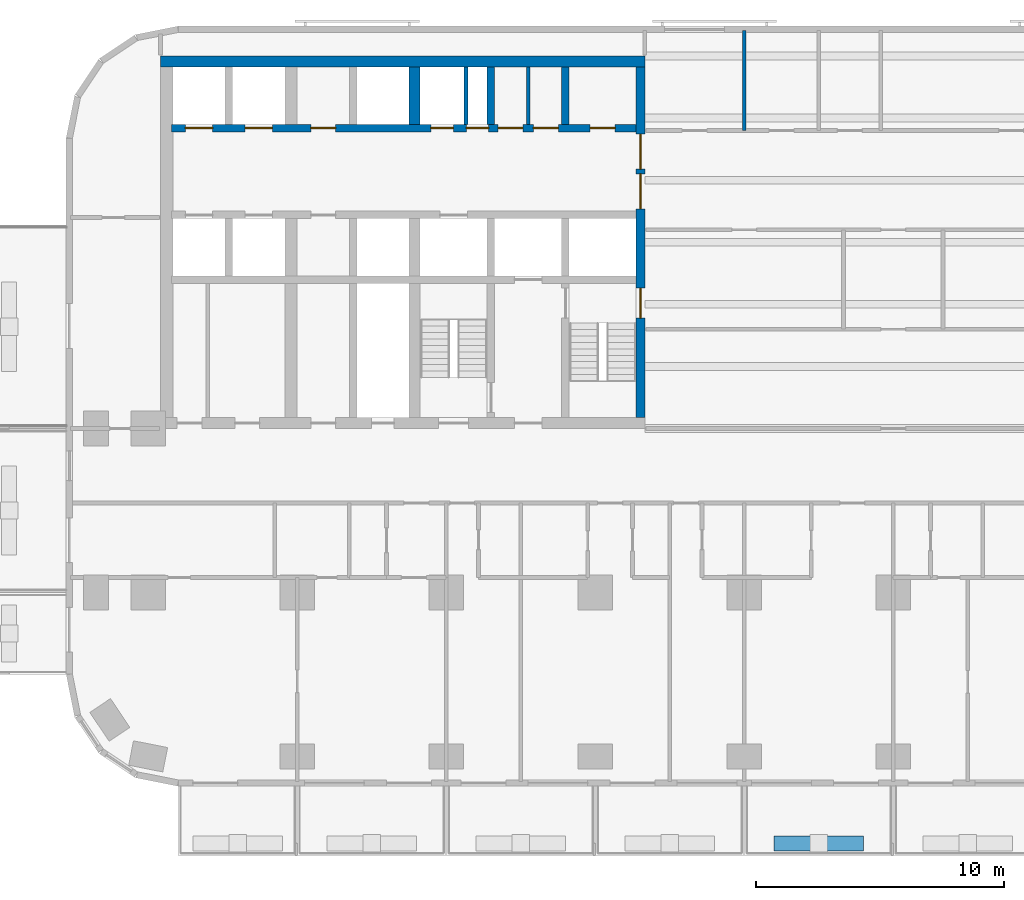
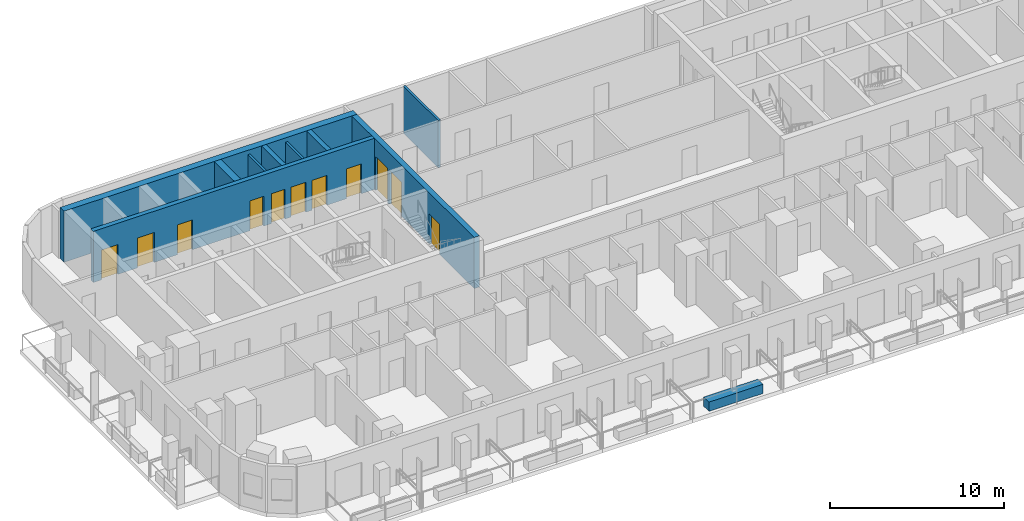
# One storey, part 4 of 14: 11 doors, 10 walls, 11 openings.
"""IFC4 building model written with IfcOpenShell, lengths in metres."""

from ifc_helpers import new_model, si_unit, direction, frame, frame_2d, origin, place, context, subcontext, project, spatial, rectangle, extrude, material, layer, layer_set, type_object, element, fill, save


model = new_model("IFC4")

# Units and contexts
model_context = context("Model", 3, precision=1e-05, world=origin(), true_north=direction((0.0, 1.0)))
body_context = subcontext(model_context, "Body", "Model", "MODEL_VIEW")
ifc_project = project(units=[si_unit("LENGTHUNIT", "METRE"), si_unit("AREAUNIT", "SQUARE_METRE"), si_unit("VOLUMEUNIT", "CUBIC_METRE"), si_unit("PLANEANGLEUNIT", "RADIAN"), si_unit("MASSUNIT", "GRAM", prefix="KILO")], contexts=[model_context])

# Site, building, storey
site_placement = place(None, origin())
site = spatial("IfcSite", under=ifc_project, at=site_placement, CompositionType="ELEMENT")
building_placement = place(site_placement, origin())
building = spatial("IfcBuilding", under=site, at=building_placement, Name="Torana Hotel and Residences", CompositionType="ELEMENT")
storey_placement = place(building_placement, frame((0.0, 0.0, 74.39990234375)))
storey = spatial("IfcBuildingStorey", under=building, at=storey_placement, Name="L18", CompositionType="ELEMENT", Elevation=74.39990234375)

# Wall, openings, doors
ifc_material_1 = material(Name="Concrete C80/95", Category="concrete")
ifc_layer_1 = layer(ifc_material_1, 0.300048828125)
ifc_layer_set_1 = layer_set([ifc_layer_1], Name="CORE WALL 300 C80/95")
wall_type_1 = type_object("IfcWallType", Name="CORE WALL 300 C80/95", PredefinedType="SHEAR", material=ifc_layer_set_1)
wall_1_placement = place(storey_placement, frame((-29.050048828125, -2.89990234375, 0.0), z_axis=(0.0, 0.0, 1.0), x_axis=(1.0, 0.0, 0.0)))
wall_1 = element("IfcWall", 1, at=wall_1_placement, inside=storey, type_object=wall_type_1, Name="Core wall W row-N", PredefinedType="SHEAR", context=body_context, shape_type="SweptSolid", body=[
    extrude(rectangle(XDim=18.699951171875, YDim=0.300048828125, at=frame_2d((9.35009765625, 0.0))), origin(), (0.0, 0.0, 1.0), 3.60009765625),
])
opening_1_placement = place(wall_1_placement, frame((2.949951171875, 0.0, 0.0)))
opening_1 = element("IfcOpeningElement", 2, at=opening_1_placement, cuts=wall_1, Name="Opening LD", PredefinedType="OPENING", context=body_context, shape_type="SweptSolid", body=[
    extrude(rectangle(XDim=1.10009765625, YDim=2.10009765625, at=frame_2d((0.550048828125, 1.050048828125))), frame((0.0, 0.159912109375, 0.0), z_axis=(0.0, -1.0, 0.0), x_axis=(1.0, 0.0, 0.0)), (0.0, 0.0, 1.0), 0.320068359375),
])
opening_2_placement = place(wall_1_placement, frame((0.550048828125, 0.0, 0.0)))
opening_2 = element("IfcOpeningElement", 3, at=opening_2_placement, cuts=wall_1, Name="Opening LD", PredefinedType="OPENING", context=body_context, shape_type="SweptSolid", body=[
    extrude(rectangle(XDim=1.10009765625, YDim=2.10009765625, at=frame_2d((0.550048828125, 1.050048828125))), frame((0.0, 0.159912109375, 0.0), z_axis=(0.0, -1.0, 0.0), x_axis=(1.0, 0.0, 0.0)), (0.0, 0.0, 1.0), 0.320068359375),
])
opening_3_placement = place(wall_1_placement, frame((11.862548828125, 0.0, 0.0)))
opening_3 = element("IfcOpeningElement", 4, at=opening_3_placement, cuts=wall_1, Name="Opening L18-10", PredefinedType="OPENING", context=body_context, shape_type="SweptSolid", body=[
    extrude(rectangle(XDim=0.89990234375, YDim=2.10009765625, at=frame_2d((0.449951171875, 1.050048828125))), frame((0.0, 0.159912109375, 0.0), z_axis=(0.0, -1.0, 0.0), x_axis=(1.0, 0.0, 0.0)), (0.0, 0.0, 1.0), 0.320068359375),
])
opening_4_placement = place(wall_1_placement, frame((10.4375, 0.0, 0.0)))
opening_4 = element("IfcOpeningElement", 5, at=opening_4_placement, cuts=wall_1, Name="Opening L18-11", PredefinedType="OPENING", context=body_context, shape_type="SweptSolid", body=[
    extrude(rectangle(XDim=0.89990234375, YDim=2.10009765625, at=frame_2d((0.449951171875, 1.050048828125))), frame((0.0, 0.159912109375, 0.0), z_axis=(0.0, -1.0, 0.0), x_axis=(1.0, 0.0, 0.0)), (0.0, 0.0, 1.0), 0.320068359375),
])
opening_5_placement = place(wall_1_placement, frame((16.85009765625, 0.0, 0.0)))
opening_5 = element("IfcOpeningElement", 6, at=opening_5_placement, cuts=wall_1, Name="Opening L18-12", PredefinedType="OPENING", context=body_context, shape_type="SweptSolid", body=[
    extrude(rectangle(XDim=1.0, YDim=2.10009765625, at=frame_2d((0.5, 1.050048828125))), frame((0.0, 0.159912109375, 0.0), z_axis=(0.0, -1.0, 0.0), x_axis=(1.0, 0.0, 0.0)), (0.0, 0.0, 1.0), 0.320068359375),
])
opening_6_placement = place(wall_1_placement, frame((14.5625, 0.0, 0.0)))
opening_6 = element("IfcOpeningElement", 7, at=opening_6_placement, cuts=wall_1, Name="Opening L18-13", PredefinedType="OPENING", context=body_context, shape_type="SweptSolid", body=[
    extrude(rectangle(XDim=1.0, YDim=2.10009765625, at=frame_2d((0.5, 1.050048828125))), frame((0.0, 0.159912109375, 0.0), z_axis=(0.0, -1.0, 0.0), x_axis=(1.0, 0.0, 0.0)), (0.0, 0.0, 1.0), 0.320068359375),
])
opening_7_placement = place(wall_1_placement, frame((13.137451171875, 0.0, 0.0)))
opening_7 = element("IfcOpeningElement", 8, at=opening_7_placement, cuts=wall_1, Name="Opening L18-14", PredefinedType="OPENING", context=body_context, shape_type="SweptSolid", body=[
    extrude(rectangle(XDim=1.0, YDim=2.10009765625, at=frame_2d((0.5, 1.050048828125))), frame((0.0, 0.159912109375, 0.0), z_axis=(0.0, -1.0, 0.0), x_axis=(1.0, 0.0, 0.0)), (0.0, 0.0, 1.0), 0.320068359375),
])
opening_8_placement = place(wall_1_placement, frame((5.60009765625, 0.0, 0.0)))
opening_8 = element("IfcOpeningElement", 9, at=opening_8_placement, cuts=wall_1, Name="Opening L18-15", PredefinedType="OPENING", context=body_context, shape_type="SweptSolid", body=[
    extrude(rectangle(XDim=1.0, YDim=2.10009765625, at=frame_2d((0.5, 1.050048828125))), frame((0.0, 0.159912109375, 0.0), z_axis=(0.0, -1.0, 0.0), x_axis=(1.0, 0.0, 0.0)), (0.0, 0.0, 1.0), 0.320068359375),
])
ifc_material_2 = material(Name="Steel S235", Category="steel")
door_type_1 = type_object("IfcDoorType", Name="CORE ROOM FIRE DOOR D14 1000x2100", OperationType="SINGLE_SWING_LEFT", PredefinedType="DOOR", material=ifc_material_2)
door_1_placement = place(opening_5_placement, origin())
door_1 = element("IfcDoor", 10, at=door_1_placement, inside=storey, type_object=door_type_1, Name="N0 door L18", OperationType="SINGLE_SWING_RIGHT", OverallHeight=2.10009765625, OverallWidth=1.0, PredefinedType="DOOR", context=body_context, shape_type="SweptSolid", body=[
    extrude(rectangle(XDim=1.0, YDim=2.10009765625, at=frame_2d((0.5, 1.050048828125))), frame((0.0, 0.02490234375, 0.0), z_axis=(0.0, -1.0, 0.0), x_axis=(1.0, 0.0, 0.0)), (0.0, 0.0, 1.0), 0.050048828125),
])
fill(opening_5, door_1)
door_2_placement = place(opening_6_placement, origin())
door_2 = element("IfcDoor", 11, at=door_2_placement, inside=storey, type_object=door_type_1, Name="N1A door L18", OperationType="SINGLE_SWING_RIGHT", OverallHeight=2.10009765625, OverallWidth=1.0, PredefinedType="DOOR", context=body_context, shape_type="SweptSolid", body=[
    extrude(rectangle(XDim=1.0, YDim=2.10009765625, at=frame_2d((0.5, 1.050048828125))), frame((0.0, 0.02490234375, 0.0), z_axis=(0.0, -1.0, 0.0), x_axis=(1.0, 0.0, 0.0)), (0.0, 0.0, 1.0), 0.050048828125),
])
fill(opening_6, door_2)
door_3_placement = place(opening_7_placement, origin())
door_3 = element("IfcDoor", 12, at=door_3_placement, inside=storey, type_object=door_type_1, Name="N1B door L18", OperationType="SINGLE_SWING_RIGHT", OverallHeight=2.10009765625, OverallWidth=1.0, PredefinedType="DOOR", context=body_context, shape_type="SweptSolid", body=[
    extrude(rectangle(XDim=1.0, YDim=2.10009765625, at=frame_2d((0.5, 1.050048828125))), frame((0.0, 0.02490234375, 0.0), z_axis=(0.0, -1.0, 0.0), x_axis=(1.0, 0.0, 0.0)), (0.0, 0.0, 1.0), 0.050048828125),
])
fill(opening_7, door_3)
door_4_placement = place(opening_8_placement, origin())
door_4 = element("IfcDoor", 13, at=door_4_placement, inside=storey, type_object=door_type_1, Name="Free-M1 door L18", OperationType="SINGLE_SWING_RIGHT", OverallHeight=2.10009765625, OverallWidth=1.0, PredefinedType="DOOR", context=body_context, shape_type="SweptSolid", body=[
    extrude(rectangle(XDim=1.0, YDim=2.10009765625, at=frame_2d((0.5, 1.050048828125))), frame((0.0, 0.02490234375, 0.0), z_axis=(0.0, -1.0, 0.0), x_axis=(1.0, 0.0, 0.0)), (0.0, 0.0, 1.0), 0.050048828125),
])
fill(opening_8, door_4)
ifc_material_3 = material(Name="Stainless steel 316", Category="steel")
door_type_2 = type_object("IfcDoorType", Name="LIFT LANDING DOOR LD 1100x2100", OperationType="DOUBLE_DOOR_SLIDING", PredefinedType="USERDEFINED", material=ifc_material_3)
door_5_placement = place(opening_1_placement, origin())
door_5 = element("IfcDoor", 14, at=door_5_placement, inside=storey, type_object=door_type_2, Name="Lift landing door L1 L18", ObjectType="LIFT LANDING DOOR", OperationType="DOUBLE_DOOR_SLIDING", OverallHeight=2.10009765625, OverallWidth=1.10009765625, PredefinedType="USERDEFINED", context=body_context, shape_type="SweptSolid", body=[
    extrude(rectangle(XDim=1.10009765625, YDim=2.10009765625, at=frame_2d((0.550048828125, 1.050048828125))), frame((0.0, 0.02490234375, 0.0), z_axis=(0.0, -1.0, 0.0), x_axis=(1.0, 0.0, 0.0)), (0.0, 0.0, 1.0), 0.050048828125),
])
fill(opening_1, door_5)
door_6_placement = place(opening_2_placement, origin())
door_6 = element("IfcDoor", 15, at=door_6_placement, inside=storey, type_object=door_type_2, Name="Lift landing door L2 L18", ObjectType="LIFT LANDING DOOR", OperationType="DOUBLE_DOOR_SLIDING", OverallHeight=2.10009765625, OverallWidth=1.10009765625, PredefinedType="USERDEFINED", context=body_context, shape_type="SweptSolid", body=[
    extrude(rectangle(XDim=1.10009765625, YDim=2.10009765625, at=frame_2d((0.550048828125, 1.050048828125))), frame((0.0, 0.02490234375, 0.0), z_axis=(0.0, -1.0, 0.0), x_axis=(1.0, 0.0, 0.0)), (0.0, 0.0, 1.0), 0.050048828125),
])
fill(opening_2, door_6)
ifc_material_4 = material(Name="Steel S235", Category="steel")
door_type_3 = type_object("IfcDoorType", Name="RISER ACCESS DOOR D5 900x2100", OperationType="SINGLE_SWING_LEFT", PredefinedType="DOOR", material=ifc_material_4)
door_7_placement = place(opening_3_placement, origin())
door_7 = element("IfcDoor", 16, at=door_7_placement, inside=storey, type_object=door_type_3, Name="N2A door L18", OperationType="SINGLE_SWING_LEFT", OverallHeight=2.10009765625, OverallWidth=0.89990234375, PredefinedType="DOOR", context=body_context, shape_type="SweptSolid", body=[
    extrude(rectangle(XDim=0.89990234375, YDim=2.10009765625, at=frame_2d((0.449951171875, 1.050048828125))), frame((0.0, 0.02490234375, 0.0), z_axis=(0.0, -1.0, 0.0), x_axis=(1.0, 0.0, 0.0)), (0.0, 0.0, 1.0), 0.050048828125),
])
fill(opening_3, door_7)
door_8_placement = place(opening_4_placement, origin())
door_8 = element("IfcDoor", 17, at=door_8_placement, inside=storey, type_object=door_type_3, Name="N2B door L18", OperationType="SINGLE_SWING_RIGHT", OverallHeight=2.10009765625, OverallWidth=0.89990234375, PredefinedType="DOOR", context=body_context, shape_type="SweptSolid", body=[
    extrude(rectangle(XDim=0.89990234375, YDim=2.10009765625, at=frame_2d((0.449951171875, 1.050048828125))), frame((0.0, 0.02490234375, 0.0), z_axis=(0.0, -1.0, 0.0), x_axis=(1.0, 0.0, 0.0)), (0.0, 0.0, 1.0), 0.050048828125),
])
fill(opening_4, door_8)

# Walls
for number, where, z_axis, x_axis, name in (
    (18, (-13.199951171875, -2.75, 0.0), (0.0, 0.0, 1.0), (0.0, 1.0, 0.0), "Core wall W x3.05-N"),
    (19, (-16.199951171875, -2.75, 0.0), (0.0, 0.0, 1.0), (0.0, 1.0, 0.0), "Core wall W x6.05-N"),
):
    element("IfcWall", number, at=place(storey_placement, frame(where, z_axis=z_axis, x_axis=x_axis)), inside=storey, type_object=wall_type_1, Name=name, PredefinedType="SHEAR", context=body_context, shape_type="SweptSolid", body=[
        extrude(rectangle(XDim=2.300048828125, YDim=0.300048828125, at=frame_2d((1.14990234375, 0.0))), origin(), (0.0, 0.0, 1.0), 3.60009765625),
    ])

# Wall, openings, doors
ifc_material_5 = material(Name="Concrete C80/95", Category="concrete")
ifc_layer_2 = layer(ifc_material_5, 0.35009765625)
ifc_layer_set_2 = layer_set([ifc_layer_2], Name="CORE WALL 350 C80/95")
wall_type_2 = type_object("IfcWallType", Name="CORE WALL 350 C80/95", PredefinedType="SHEAR", material=ifc_layer_set_2)
wall_2_placement = place(storey_placement, frame((-10.175048828125, -14.550048828125, 0.0), z_axis=(0.0, 0.0, 1.0), x_axis=(0.0, 1.0, 0.0)))
wall_2 = element("IfcWall", 20, at=wall_2_placement, inside=storey, type_object=wall_type_2, Name="Core wall W arch", PredefinedType="SHEAR", context=body_context, shape_type="SweptSolid", body=[
    extrude(rectangle(XDim=14.10009765625, YDim=0.35009765625, at=frame_2d((7.050048828125, 0.0))), origin(), (0.0, 0.0, 1.0), 3.60009765625),
])
opening_9_placement = place(wall_2_placement, frame((8.39990234375, 0.0, 0.0)))
opening_9 = element("IfcOpeningElement", 21, at=opening_9_placement, cuts=wall_2, Name="Opening L18-01", PredefinedType="OPENING", context=body_context, shape_type="SweptSolid", body=[
    extrude(rectangle(XDim=1.39990234375, YDim=2.39990234375, at=frame_2d((0.699951171875, 1.199951171875))), frame((0.0, 0.18505859375, 0.0), z_axis=(0.0, -1.0, 0.0), x_axis=(1.0, 0.0, 0.0)), (0.0, 0.0, 1.0), 0.3701171875),
])
opening_10_placement = place(wall_2_placement, frame((10.0, 0.0, 0.0)))
opening_10 = element("IfcOpeningElement", 22, at=opening_10_placement, cuts=wall_2, Name="Opening L18-02", PredefinedType="OPENING", context=body_context, shape_type="SweptSolid", body=[
    extrude(rectangle(XDim=1.39990234375, YDim=2.39990234375, at=frame_2d((0.699951171875, 1.199951171875))), frame((0.0, 0.18505859375, 0.0), z_axis=(0.0, -1.0, 0.0), x_axis=(1.0, 0.0, 0.0)), (0.0, 0.0, 1.0), 0.3701171875),
])
opening_11_placement = place(wall_2_placement, frame((4.0, 0.0, 0.0)))
opening_11 = element("IfcOpeningElement", 23, at=opening_11_placement, cuts=wall_2, Name="Opening L18-03", PredefinedType="OPENING", context=body_context, shape_type="SweptSolid", body=[
    extrude(rectangle(XDim=1.199951171875, YDim=2.10009765625, at=frame_2d((0.60009765625, 1.050048828125))), frame((0.0, 0.18505859375, 0.0), z_axis=(0.0, -1.0, 0.0), x_axis=(1.0, 0.0, 0.0)), (0.0, 0.0, 1.0), 0.3701171875),
])
ifc_material_6 = material(Name="Steel S235", Category="steel")
door_type_4 = type_object("IfcDoorType", Name="LOBBY FIRE DOOR D4 1400x2400", OperationType="DOUBLE_DOOR_SINGLE_SWING", PredefinedType="DOOR", material=ifc_material_6)
door_9_placement = place(opening_9_placement, origin())
door_9 = element("IfcDoor", 24, at=door_9_placement, inside=storey, type_object=door_type_4, Name="Lobby-1 door L18", OperationType="DOUBLE_DOOR_SINGLE_SWING", OverallHeight=2.39990234375, OverallWidth=1.39990234375, PredefinedType="DOOR", context=body_context, shape_type="SweptSolid", body=[
    extrude(rectangle(XDim=1.39990234375, YDim=2.39990234375, at=frame_2d((0.699951171875, 1.199951171875))), frame((0.0, 0.02490234375, 0.0), z_axis=(0.0, -1.0, 0.0), x_axis=(1.0, 0.0, 0.0)), (0.0, 0.0, 1.0), 0.050048828125),
])
fill(opening_9, door_9)
door_10_placement = place(opening_10_placement, origin())
door_10 = element("IfcDoor", 25, at=door_10_placement, inside=storey, type_object=door_type_4, Name="Lobby-2 door L18", OperationType="DOUBLE_DOOR_SINGLE_SWING", OverallHeight=2.39990234375, OverallWidth=1.39990234375, PredefinedType="DOOR", context=body_context, shape_type="SweptSolid", body=[
    extrude(rectangle(XDim=1.39990234375, YDim=2.39990234375, at=frame_2d((0.699951171875, 1.199951171875))), frame((0.0, 0.02490234375, 0.0), z_axis=(0.0, -1.0, 0.0), x_axis=(1.0, 0.0, 0.0)), (0.0, 0.0, 1.0), 0.050048828125),
])
fill(opening_10, door_10)
ifc_material_7 = material(Name="Steel S235", Category="steel")
door_type_5 = type_object("IfcDoorType", Name="STAIR FIRE DOOR D3 1200x2100", OperationType="SINGLE_SWING_LEFT", PredefinedType="DOOR", material=ifc_material_7)
door_11_placement = place(opening_11_placement, origin())
door_11 = element("IfcDoor", 26, at=door_11_placement, inside=storey, type_object=door_type_5, Name="Stair-A door L18", OperationType="SINGLE_SWING_LEFT", OverallHeight=2.10009765625, OverallWidth=1.199951171875, PredefinedType="DOOR", context=body_context, shape_type="SweptSolid", body=[
    extrude(rectangle(XDim=1.199951171875, YDim=2.10009765625, at=frame_2d((0.60009765625, 1.050048828125))), frame((0.0, 0.02490234375, 0.0), z_axis=(0.0, -1.0, 0.0), x_axis=(1.0, 0.0, 0.0)), (0.0, 0.0, 1.0), 0.050048828125),
])
fill(opening_11, door_11)

# Walls
ifc_material_8 = material(Name="Concrete C80/95", Category="concrete")
ifc_layer_3 = layer(ifc_material_8, 0.449951171875)
ifc_layer_set_3 = layer_set([ifc_layer_3], Name="CORE WALL 450 C80/95")
wall_type_3 = type_object("IfcWallType", Name="CORE WALL 450 C80/95", PredefinedType="SHEAR", material=ifc_layer_set_3)
wall_3_placement = place(storey_placement, frame((-29.5, -0.22509765625, 0.0), z_axis=(0.0, 0.0, 1.0), x_axis=(1.0, 0.0, 0.0)))
element("IfcWall", 27, at=wall_3_placement, inside=storey, type_object=wall_type_3, Name="Core wall W rear", PredefinedType="SHEAR", context=body_context, shape_type="SweptSolid", body=[
    extrude(rectangle(XDim=19.5, YDim=0.449951171875, at=frame_2d((9.75, 0.0))), origin(), (0.0, 0.0, 1.0), 3.60009765625),
])
wall_4_placement = place(storey_placement, frame((-19.27490234375, -2.75, 0.0), z_axis=(0.0, 0.0, 1.0), x_axis=(0.0, 1.0, 0.0)))
element("IfcWall", 28, at=wall_4_placement, inside=storey, type_object=wall_type_3, Name="Core wall W hm-N", PredefinedType="SHEAR", context=body_context, shape_type="SweptSolid", body=[
    extrude(rectangle(XDim=2.300048828125, YDim=0.449951171875, at=frame_2d((1.14990234375, 0.0))), origin(), (0.0, 0.0, 1.0), 3.60009765625),
])
ifc_material_9 = material(Name="Gypsum plaster")
ifc_layer_4 = layer(ifc_material_9, 0.014892578125, Name="Plaster", Category="finish")
ifc_material_10 = material(Name="Concrete blockwork", Category="masonry")
ifc_layer_5 = layer(ifc_material_10, 0.1201171875, Name="Blockwork", Category="structure")
ifc_layer_6 = layer(ifc_material_9, 0.014892578125, Name="Plaster", Category="finish")
ifc_layer_set_4 = layer_set([ifc_layer_4, ifc_layer_5, ifc_layer_6], Name="FIRE PARTITION 150 BLOCKWORK")
wall_type_4 = type_object("IfcWallType", Name="FIRE PARTITION 150 BLOCKWORK", PredefinedType="PARTITIONING", material=ifc_layer_set_4)
for number, where, z_axis, x_axis, name in (
    (29, (-17.199951171875, -2.75, 0.0), (0.0, 0.0, 1.0), (0.0, 1.0, 0.0), "Core partition L18"),
    (30, (-14.699951171875, -2.75, 0.0), (0.0, 0.0, 1.0), (0.0, 1.0, 0.0), "Core partition L18"),
):
    element("IfcWall", number, at=place(storey_placement, frame(where, z_axis=z_axis, x_axis=x_axis)), inside=storey, type_object=wall_type_4, Name=name, PredefinedType="PARTITIONING", context=body_context, shape_type="SweptSolid", body=[
        extrude(rectangle(XDim=2.300048828125, YDim=0.14990234375, at=frame_2d((1.14990234375, 0.0))), origin(), (0.0, 0.0, 1.0), 3.300048828125),
    ])
ifc_material_11 = material(Name="Concrete C40/50 precast", Category="concrete")
ifc_layer_7 = layer(ifc_material_11, 0.10009765625, Name="Planter shell", Category="structure")
ifc_material_12 = material(Name="Root resistant membrane")
ifc_layer_8 = layer(ifc_material_12, 0.00390625, Name="Waterproofing membrane", Category="membrane")
ifc_material_13 = material(Name="Drainage board with filter fleece")
ifc_layer_9 = layer(ifc_material_13, 0.02001953125, Name="Drainage board", Category="drainage")
ifc_material_14 = material(Name="Growing medium")
ifc_layer_10 = layer(ifc_material_14, 0.47607421875, Name="Planting substrate", Category="soil")
ifc_layer_set_5 = layer_set([ifc_layer_7, ifc_layer_8, ifc_layer_9, ifc_layer_10], Name="PL1 BALCONY PLANTER 600")
wall_type_5 = type_object("IfcWallType", Name="PL1 BALCONY PLANTER 600", PredefinedType="USERDEFINED", material=ifc_layer_set_5)
wall_5_placement = place(storey_placement, frame((-1.199951171875, -31.699951171875, 0.0), z_axis=(0.0, 0.0, 1.0), x_axis=(-1.0, 0.0, 0.0)))
element("IfcWall", 31, at=wall_5_placement, inside=storey, type_object=wall_type_5, Name="Planter 05", ObjectType="PLANTER", PredefinedType="USERDEFINED", context=body_context, shape_type="SweptSolid", body=[
    extrude(rectangle(XDim=3.60009765625, YDim=0.60009765625, at=frame_2d((1.800048828125, 0.0))), origin(), (0.0, 0.0, 1.0), 0.650146484375),
])
ifc_material_15 = material(Name="Ceramic tile on adhesive")
ifc_layer_11 = layer(ifc_material_15, 0.010009765625, Name="Wall tile", Category="finish")
ifc_material_16 = material(Name="Cement render")
ifc_layer_12 = layer(ifc_material_16, 0.010009765625, Name="Render", Category="finish")
ifc_layer_13 = layer(ifc_material_10, 0.110107421875, Name="Blockwork", Category="structure")
ifc_layer_14 = layer(ifc_material_16, 0.010009765625, Name="Render", Category="finish")
ifc_layer_15 = layer(ifc_material_15, 0.010009765625, Name="Wall tile", Category="finish")
ifc_layer_set_6 = layer_set([ifc_layer_11, ifc_layer_12, ifc_layer_13, ifc_layer_14, ifc_layer_15], Name="WC PARTITION 150")
wall_type_6 = type_object("IfcWallType", Name="WC PARTITION 150", PredefinedType="PLUMBINGWALL", material=ifc_layer_set_6)
wall_6_placement = place(storey_placement, frame((-6.0, -3.0, 0.0), z_axis=(0.0, 0.0, 1.0), x_axis=(0.0, 1.0, 0.0)))
element("IfcWall", 32, at=wall_6_placement, inside=storey, type_object=wall_type_6, Name="Partition L18", PredefinedType="PLUMBINGWALL", context=body_context, shape_type="SweptSolid", body=[
    extrude(rectangle(XDim=4.02001953125, YDim=0.14990234375, at=frame_2d((2.010009765625, 0.0))), origin(), (0.0, 0.0, 1.0), 3.320068359375),
])

save(model, "model.ifc")
